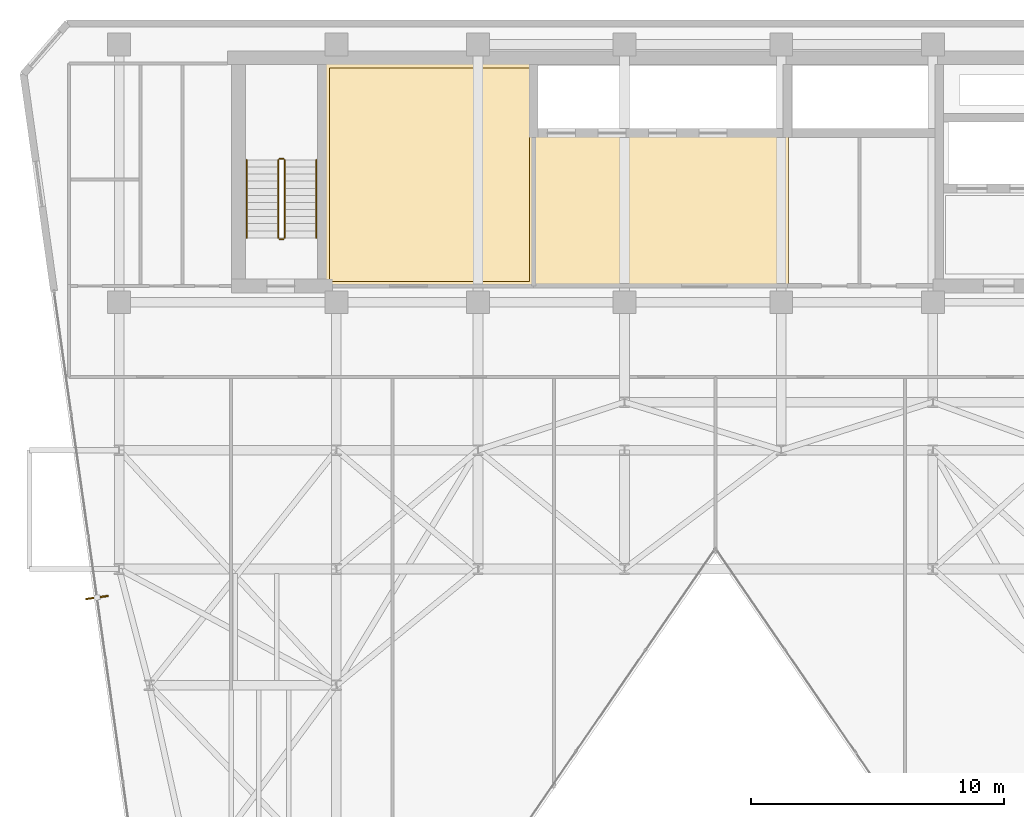
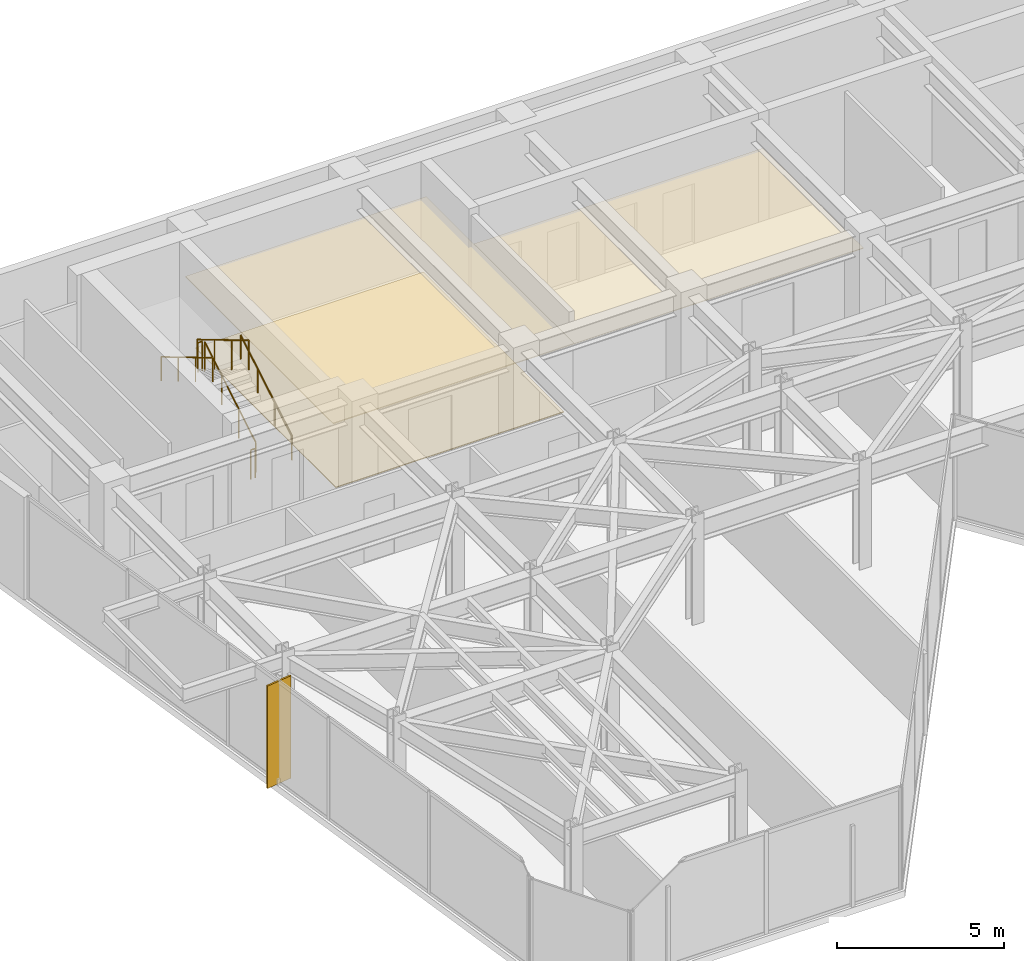
# One storey, part 25 of 26: 6 railings, 3 coverings, 1 shading device.
"""IFC4 building model written with IfcOpenShell, lengths in metres."""

from ifc_helpers import new_model, si_unit, direction, frame, origin, origin_2d, place, context, subcontext, project, spatial, polyline, rectangle, circle, outline, extrude, material, layer, layer_set, type_object, element, save


model = new_model("IFC4")

# Units and contexts
model_context = context("Model", 3, precision=1e-05, world=origin(), true_north=direction((0.0, 1.0)))
body_context = subcontext(model_context, "Body", "Model", "MODEL_VIEW")
ifc_project = project(units=[si_unit("LENGTHUNIT", "METRE"), si_unit("AREAUNIT", "SQUARE_METRE"), si_unit("VOLUMEUNIT", "CUBIC_METRE"), si_unit("PLANEANGLEUNIT", "RADIAN"), si_unit("MASSUNIT", "GRAM", prefix="KILO")], contexts=[model_context])

# Site, building, storey
site_placement = place(None, origin())
site = spatial("IfcSite", under=ifc_project, at=site_placement, CompositionType="ELEMENT")
building_placement = place(site_placement, origin())
building = spatial("IfcBuilding", under=site, at=building_placement, Name="Kravanh Interchange Tower", CompositionType="ELEMENT")
storey_placement = place(building_placement, frame((0.0, 0.0, 180.5)))
storey = spatial("IfcBuildingStorey", under=building, at=storey_placement, Name="L43", CompositionType="ELEMENT", Elevation=180.5)

# Coverings
ifc_material_1 = material(Name="Cementitious Terrazzo Tile")
ifc_layer_1 = layer(ifc_material_1, 0.030029296875)
ifc_layer_set_1 = layer_set([ifc_layer_1], Name="Honed Terrazzo Lobby Flooring 30mm")
covering_type_1 = type_object("IfcCoveringType", Name="Honed Terrazzo Lobby Flooring 30mm", PredefinedType="FLOORING", material=ifc_layer_set_1)
covering_1_placement = place(storey_placement, origin())
element("IfcCovering", 1, at=covering_1_placement, inside=storey, type_object=covering_type_1, Name="L43 Tenant Wellness and Prayer Suite Floor Finish", PredefinedType="FLOORING", context=body_context, shape_type="SweptSolid", body=[
    extrude(outline(polyline([(26.929931640625, 46.6201171875), (34.840087890625, 46.6201171875), (34.840087890625, 38.179931640625), (26.929931640625, 38.179931640625), (26.929931640625, 46.6201171875)])), origin(), (0.0, 0.0, 1.0), 0.030029296875),
])
ifc_material_2 = material(Name="Anodised Bronze Aluminium Acoustic Baffle", Category="aluminium")
ifc_layer_2 = layer(ifc_material_2, 0.034912109375)
ifc_layer_set_2 = layer_set([ifc_layer_2], Name="Linear Bronze Baffle Feature Ceiling 35mm")
covering_type_2 = type_object("IfcCoveringType", Name="Linear Bronze Baffle Feature Ceiling 35mm", PredefinedType="CEILING", material=ifc_layer_set_2)
covering_2_placement = place(storey_placement, frame((0.0, 0.0, 2.550048828125)))
element("IfcCovering", 2, at=covering_2_placement, inside=storey, type_object=covering_type_2, Name="L43 Tenant Wellness and Prayer Suite Suspended Ceiling", PredefinedType="CEILING", context=body_context, shape_type="SweptSolid", body=[
    extrude(outline(polyline([(35.06005859375, 37.9599609375), (26.7099609375, 37.9599609375), (26.7099609375, 46.840087890625), (35.06005859375, 46.840087890625), (35.06005859375, 37.9599609375)])), origin(), (0.0, 0.0, 1.0), 0.034912109375),
])
ifc_material_3 = material(Name="Acoustic Mineral Fibre Tile on Aluminium Grid", Category="aluminium")
ifc_layer_3 = layer(ifc_material_3, 0.02490234375)
ifc_layer_set_3 = layer_set([ifc_layer_3], Name="Perforated Acoustic Mineral Ceiling 25mm")
covering_type_3 = type_object("IfcCoveringType", Name="Perforated Acoustic Mineral Ceiling 25mm", PredefinedType="CEILING", material=ifc_layer_set_3)
covering_3_placement = place(storey_placement, frame((0.0, 0.0, 2.550048828125)))
element("IfcCovering", 3, at=covering_3_placement, inside=storey, type_object=covering_type_3, Name="L43 Mid-Rise Lift Lobby Suspended Ceiling", PredefinedType="CEILING", context=body_context, shape_type="SweptSolid", body=[
    extrude(outline(polyline([(45.090087890625, 37.9599609375), (34.93994140625, 37.9599609375), (34.93994140625, 43.989990234375), (45.090087890625, 43.989990234375), (45.090087890625, 37.9599609375)])), origin(), (0.0, 0.0, 1.0), 0.02490234375),
])

# Railings
ifc_material_4 = material(Name="Structural Steel S355", Category="steel")
ifc_layer_4 = layer(ifc_material_4, 0.050048828125)
ifc_layer_set_4 = layer_set([ifc_layer_4], Name="Stair Well Guardrail Structural Steel S355 1100mm")
railing_type_1 = type_object("IfcRailingType", Name="Stair Well Guardrail Structural Steel S355 1100mm", PredefinedType="GUARDRAIL", material=ifc_layer_set_4)
railing_1_placement = place(storey_placement, frame((25.14990234375, 39.89990234375, 0.166748046875)))
element("IfcRailing", 4, at=railing_1_placement, inside=storey, type_object=railing_type_1, Name="L43 ST3 stair guard 1", PredefinedType="GUARDRAIL", context=body_context, shape_type="SweptSolid", body=[
    extrude(circle(Radius=0.02392578125, at=origin_2d()), frame((0.0, 0.0, 1.076171875), z_axis=(0.0, 0.859308565015, 0.511457515432), x_axis=(-1.0, 0.0, 0.0)), (0.0, 0.0, 1.0), 3.58447265625),
    extrude(circle(Radius=0.02099609375, at=origin_2d()), origin(), (0.0, 0.0, 1.0), 1.052001953125),
    extrude(circle(Radius=0.02099609375, at=origin_2d()), frame((0.0, 1.026611328125, 0.611083984375)), (0.0, 0.0, 1.0), 1.052001953125),
    extrude(circle(Radius=0.02099609375, at=origin_2d()), frame((0.0, 2.053466796875, 1.22216796875)), (0.0, 0.0, 1.0), 1.052001953125),
    extrude(circle(Radius=0.02099609375, at=origin_2d()), frame((0.0, 3.080078125, 1.833251953125)), (0.0, 0.0, 1.0), 1.052001953125),
])
railing_2_placement = place(storey_placement, frame((25.10009765625, 43.030029296875, 2.0)))
element("IfcRailing", 5, at=railing_2_placement, inside=storey, type_object=railing_type_1, Name="L43 ST3 stair guard 2", PredefinedType="GUARDRAIL", context=body_context, shape_type="SweptSolid", body=[
    extrude(circle(Radius=0.02392578125, at=origin_2d()), frame((0.0, 0.0, 1.076171875), z_axis=(-1.0, 0.0, 0.0), x_axis=(0.0, -1.0, 0.0)), (0.0, 0.0, 1.0), 0.150146484375),
    extrude(circle(Radius=0.02099609375, at=origin_2d()), origin(), (0.0, 0.0, 1.0), 1.052001953125),
    extrude(circle(Radius=0.02099609375, at=origin_2d()), frame((-0.150146484375, 0.0, 0.0)), (0.0, 0.0, 1.0), 1.052001953125),
])
railing_3_placement = place(storey_placement, frame((24.89990234375, 42.97998046875, 2.166748046875)))
element("IfcRailing", 6, at=railing_3_placement, inside=storey, type_object=railing_type_1, Name="L43 ST3 stair guard 3", PredefinedType="GUARDRAIL", context=body_context, shape_type="SweptSolid", body=[
    extrude(circle(Radius=0.02392578125, at=origin_2d()), frame((0.0, 0.0, 1.076171875), z_axis=(0.0, -0.859308565015, 0.511457515432), x_axis=(1.0, 0.0, 0.0)), (0.0, 0.0, 1.0), 3.58447265625),
    extrude(circle(Radius=0.02099609375, at=origin_2d()), origin(), (0.0, 0.0, 1.0), 1.052001953125),
    extrude(circle(Radius=0.02099609375, at=origin_2d()), frame((0.0, -1.026611328125, 0.611083984375)), (0.0, 0.0, 1.0), 1.052001953125),
    extrude(circle(Radius=0.02099609375, at=origin_2d()), frame((0.0, -2.053466796875, 1.22216796875)), (0.0, 0.0, 1.0), 1.052001953125),
    extrude(circle(Radius=0.02099609375, at=origin_2d()), frame((0.0, -3.080078125, 1.833251953125)), (0.0, 0.0, 1.0), 1.052001953125),
])
railing_4_placement = place(storey_placement, frame((25.10009765625, 39.85009765625, 0.0)))
element("IfcRailing", 7, at=railing_4_placement, inside=storey, type_object=railing_type_1, Name="L43 ST3 stair guard 4", PredefinedType="GUARDRAIL", context=body_context, shape_type="SweptSolid", body=[
    extrude(circle(Radius=0.02392578125, at=origin_2d()), frame((0.0, 0.0, 1.076171875), z_axis=(-1.0, 0.0, 0.0), x_axis=(0.0, -1.0, 0.0)), (0.0, 0.0, 1.0), 0.150146484375),
    extrude(circle(Radius=0.02099609375, at=origin_2d()), origin(), (0.0, 0.0, 1.0), 1.052001953125),
    extrude(circle(Radius=0.02099609375, at=origin_2d()), frame((-0.150146484375, 0.0, 0.0)), (0.0, 0.0, 1.0), 1.052001953125),
])
ifc_material_5 = material(Name="Stainless Steel 304", Category="steel")
ifc_layer_5 = layer(ifc_material_5, 0.044921875)
ifc_layer_set_5 = layer_set([ifc_layer_5], Name="Tubular Stair Handrail Stainless 304 900mm")
railing_type_2 = type_object("IfcRailingType", Name="Tubular Stair Handrail Stainless 304 900mm", PredefinedType="HANDRAIL", material=ifc_layer_set_5)
railing_5_placement = place(storey_placement, frame((26.39990234375, 39.89990234375, 0.166748046875)))
element("IfcRailing", 8, at=railing_5_placement, inside=storey, type_object=railing_type_2, Name="L43 ST3 stair handrail 1", PredefinedType="HANDRAIL", context=body_context, shape_type="SweptSolid", body=[
    extrude(circle(Radius=0.02392578125, at=origin_2d()), frame((0.0, 0.0, 0.8759765625), z_axis=(0.0, 0.859308565015, 0.511457515432), x_axis=(-1.0, 0.0, 0.0)), (0.0, 0.0, 1.0), 3.58447265625),
    extrude(circle(Radius=0.02099609375, at=origin_2d()), origin(), (0.0, 0.0, 1.0), 0.851806640625),
    extrude(circle(Radius=0.02099609375, at=origin_2d()), frame((0.0, 1.026611328125, 0.611083984375)), (0.0, 0.0, 1.0), 0.851806640625),
    extrude(circle(Radius=0.02099609375, at=origin_2d()), frame((0.0, 2.053466796875, 1.22216796875)), (0.0, 0.0, 1.0), 0.851806640625),
    extrude(circle(Radius=0.02099609375, at=origin_2d()), frame((0.0, 3.080078125, 1.833251953125)), (0.0, 0.0, 1.0), 0.851806640625),
])
railing_6_placement = place(storey_placement, frame((23.64990234375, 42.97998046875, 2.166748046875)))
element("IfcRailing", 9, at=railing_6_placement, inside=storey, type_object=railing_type_2, Name="L43 ST3 stair handrail 2", PredefinedType="HANDRAIL", context=body_context, shape_type="SweptSolid", body=[
    extrude(circle(Radius=0.02392578125, at=origin_2d()), frame((0.0, 0.0, 0.8759765625), z_axis=(0.0, -0.859308565015, 0.511457515432), x_axis=(1.0, 0.0, 0.0)), (0.0, 0.0, 1.0), 3.58447265625),
    extrude(circle(Radius=0.02099609375, at=origin_2d()), origin(), (0.0, 0.0, 1.0), 0.851806640625),
    extrude(circle(Radius=0.02099609375, at=origin_2d()), frame((0.0, -1.026611328125, 0.611083984375)), (0.0, 0.0, 1.0), 0.851806640625),
    extrude(circle(Radius=0.02099609375, at=origin_2d()), frame((0.0, -2.053466796875, 1.22216796875)), (0.0, 0.0, 1.0), 0.851806640625),
    extrude(circle(Radius=0.02099609375, at=origin_2d()), frame((0.0, -3.080078125, 1.833251953125)), (0.0, 0.0, 1.0), 0.851806640625),
])

# Shading device
ifc_material_6 = material(Name="Anodised Champagne Bronze Aluminium", Category="aluminium")
ifc_layer_6 = layer(ifc_material_6, 0.06005859375)
ifc_layer_set_6 = layer_set([ifc_layer_6], Name="Vertical Bronze Solar Fin 900mm")
shading_device_type = type_object("IfcShadingDeviceType", Name="Vertical Bronze Solar Fin 900mm", PredefinedType="USERDEFINED", material=ifc_layer_set_6)
shading_device_placement = place(storey_placement, frame((17.729736328125, 25.67041015625, 0.0), z_axis=(0.0, 0.0, 1.0), x_axis=(-0.990268182791, -0.139172289451, 0.0)))
element("IfcShadingDevice", 10, at=shading_device_placement, inside=storey, type_object=shading_device_type, Name="L43 BRONZE SOLAR FIN 1", ObjectType="FIN", PredefinedType="USERDEFINED", context=body_context, shape_type="SweptSolid", body=[
    extrude(rectangle(XDim=0.89990234375, YDim=0.06005859375, at=origin_2d()), origin(), (0.0, 0.0, 1.0), 3.7548828125),
])

save(model, "model.ifc")
